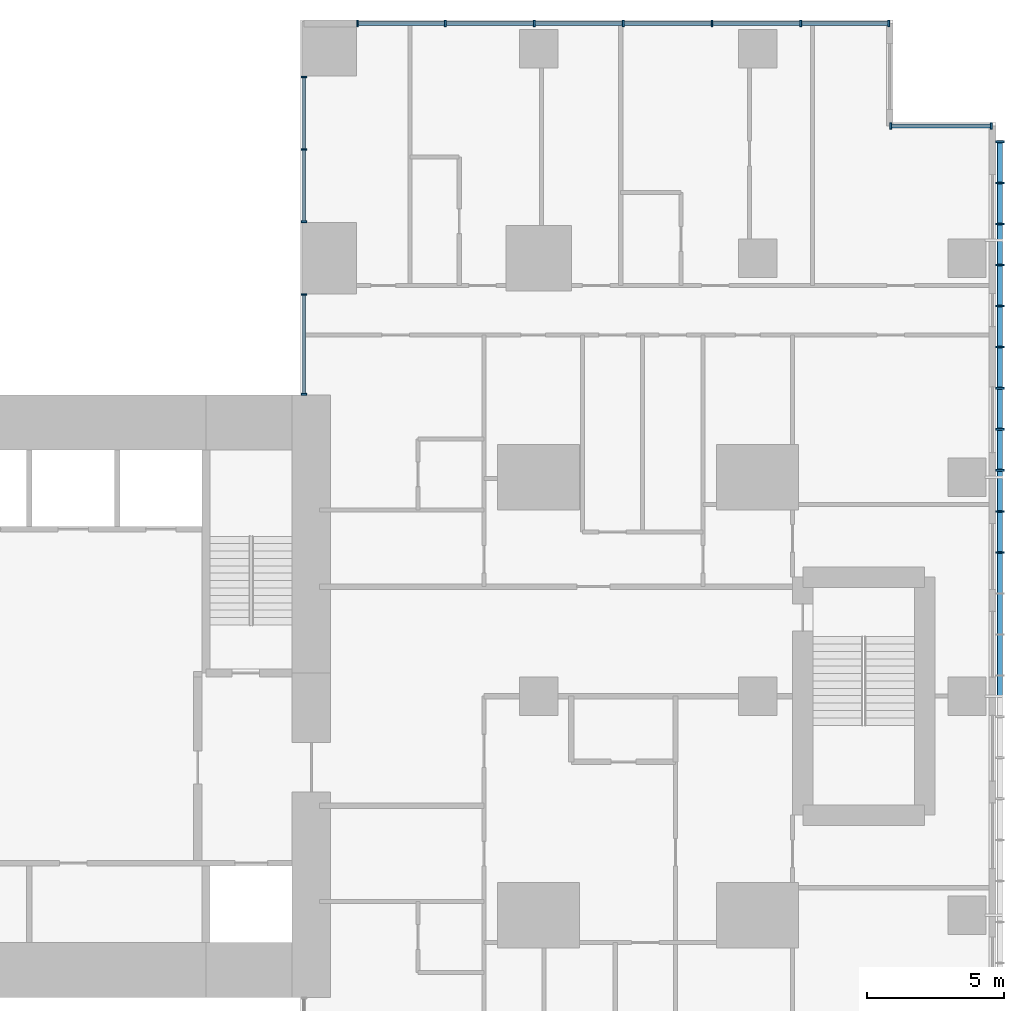
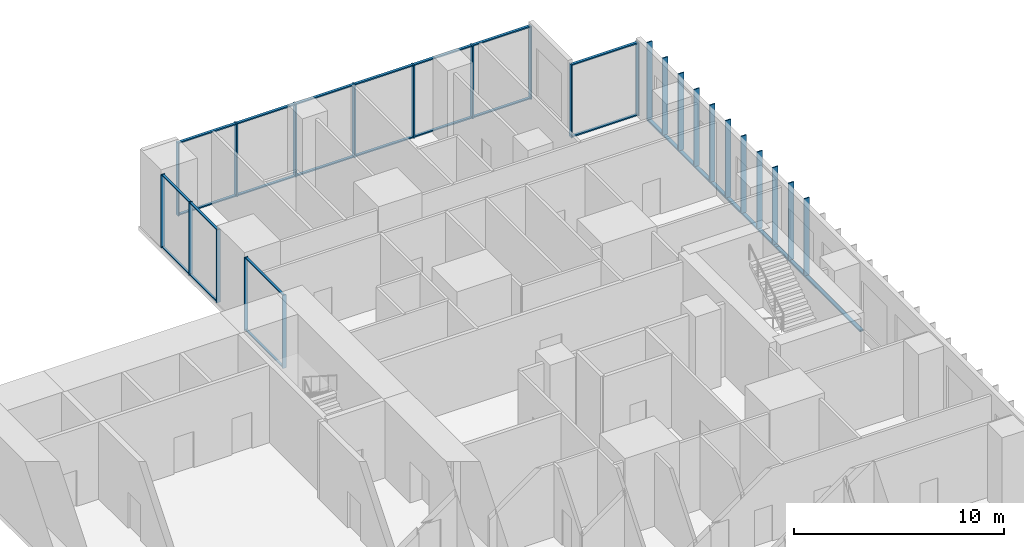
# One storey, part 3 of 12: 47 members, 4 elements without a shape of their own.
"""IFC4 building model written with IfcOpenShell, lengths in metres."""

import ifcopenshell
import ifcopenshell.guid

model = None  # the IFC model being written
_history = None  # IfcOwnerHistory: only IFC2X3 demands one
_inside = {}  # id of a spatial element -> (the spatial element, [elements in it])
_under = {}  # id of a project, library or spatial element -> (it, [spatial elements below it])
_declared = {}  # id of a project -> (the project, [libraries it declares])
_typed = {}  # id of a type object -> (the type object, [elements of that type])
_made_of = {}  # id of a material, layer set ... -> (it, [elements and type objects made of it])


def new_model(schema):
    """Start an empty IFC model of exactly this schema.

    Asked for "IFC4X3", IfcOpenShell would pick the latest addendum, in which some entities
    have other attributes; the version numbers below select the first issue.
    IFC2X3 requires an IfcOwnerHistory on every rooted entity: one is made here for all.
    """
    global model, _history
    if schema == "IFC4X3":
        model = ifcopenshell.file(schema_version=(4, 3, 0, 0))
    else:
        model = ifcopenshell.file(schema=schema)
    _inside.clear()
    _under.clear()
    _declared.clear()
    _typed.clear()
    _made_of.clear()
    _history = None
    if model.schema == "IFC2X3":
        org = make("IfcOrganization", Name="unknown")
        user = make(
            "IfcPersonAndOrganization",
            ThePerson=make("IfcPerson", FamilyName="unknown"),
            TheOrganization=org,
        )
        app = make(
            "IfcApplication",
            ApplicationDeveloper=org,
            Version="unknown",
            ApplicationFullName="unknown",
            ApplicationIdentifier="unknown",
        )
        _history = make(
            "IfcOwnerHistory",
            OwningUser=user,
            OwningApplication=app,
            ChangeAction="ADDED",
            CreationDate=0,
        )
    return model


def make(cls, **values):
    """One entity of the class cls with the attributes given. An attribute that is None is left unset."""
    return model.create_entity(
        cls, **{name: value for name, value in values.items() if value is not None}
    )


def rooted(cls, **values):
    """An entity with a GlobalId (a new one), such as an element, a storey or a relation."""
    return make(cls, GlobalId=ifcopenshell.guid.new(), OwnerHistory=_history, **values)


def si_unit(unit_type, name, prefix=None):
    """IfcSIUnit, for example si_unit("LENGTHUNIT", "METRE", prefix="MILLI")."""
    return make("IfcSIUnit", UnitType=unit_type, Prefix=prefix, Name=name)


def assignment(units):
    """IfcUnitAssignment: the units of a project."""
    return None if units is None else make("IfcUnitAssignment", Units=units)


def point(xyz):
    """IfcCartesianPoint."""
    return None if xyz is None else make("IfcCartesianPoint", Coordinates=xyz)


def direction(xyz):
    """IfcDirection."""
    return None if xyz is None else make("IfcDirection", DirectionRatios=xyz)


def frame(location, z_axis=None, x_axis=None):
    """IfcAxis2Placement3D, a coordinate frame: its origin and axes. An axis left out is left unset."""
    return make(
        "IfcAxis2Placement3D",
        Location=point(location),
        Axis=direction(z_axis),
        RefDirection=direction(x_axis),
    )


def frame_2d(location, x_axis=None):
    """IfcAxis2Placement2D, a coordinate frame in the plane: its origin and x axis."""
    return make(
        "IfcAxis2Placement2D", Location=point(location), RefDirection=direction(x_axis)
    )


def origin():
    """The frame at (0, 0, 0) with its axes left unset."""
    return frame((0.0, 0.0, 0.0))


def origin_2d():
    """The frame at (0, 0) in the plane with its x axis left unset."""
    return frame_2d((0.0, 0.0))


def place(relative_to, where):
    """IfcLocalPlacement: puts the frame where relative to a parent placement (None: the world)."""
    return make(
        "IfcLocalPlacement", PlacementRelTo=relative_to, RelativePlacement=where
    )


def context(
    kind, dimensions, precision=None, world=None, true_north=None, identifier=None
):
    """IfcGeometricRepresentationContext, for example the 3D "Model" context."""
    return make(
        "IfcGeometricRepresentationContext",
        ContextIdentifier=identifier,
        ContextType=kind,
        CoordinateSpaceDimension=dimensions,
        Precision=precision,
        WorldCoordinateSystem=world,
        TrueNorth=true_north,
    )


def subcontext(parent, identifier, kind, view, scale=None):
    """IfcGeometricRepresentationSubContext, for example "Body" below "Model"."""
    return make(
        "IfcGeometricRepresentationSubContext",
        ContextIdentifier=identifier,
        ContextType=kind,
        ParentContext=parent,
        TargetScale=scale,
        TargetView=view,
    )


def project(units=None, contexts=None):
    """IfcProject with its units and contexts."""
    return rooted(
        "IfcProject",
        Name="project",
        RepresentationContexts=contexts,
        UnitsInContext=assignment(units),
    )


def spatial(cls, under=None, at=None, **own):
    """A site, building, storey or space (cls), placed at a placement, below another one or the project."""
    s = rooted(cls, ObjectPlacement=at, **own)
    if under is not None:
        _under.setdefault(under.id(), (under, []))[1].append(s)
    return s


def profile(cls, at=None, kind="AREA", **sizes):
    """A parametric profile (cls). Its sizes go by their IFC names, for example OverallWidth=200.0."""
    return make(cls, ProfileType=kind, Position=at, **sizes)


def rectangle(**sizes):
    """IfcRectangleProfileDef."""
    return profile("IfcRectangleProfileDef", **sizes)


def hollow_rectangle(**sizes):
    """IfcRectangleHollowProfileDef."""
    return profile("IfcRectangleHollowProfileDef", **sizes)


def extrude(swept, where, along, depth):
    """IfcExtrudedAreaSolid: the profile swept, set in the frame where, extruded along a direction by depth."""
    return make(
        "IfcExtrudedAreaSolid",
        SweptArea=swept,
        Position=where,
        ExtrudedDirection=direction(along),
        Depth=depth,
    )


def shape(context_of_items, identifier, shape_type, items):
    """IfcShapeRepresentation: the items that make up one representation, for example the "Body"."""
    return make(
        "IfcShapeRepresentation",
        ContextOfItems=context_of_items,
        RepresentationIdentifier=identifier,
        RepresentationType=shape_type,
        Items=items,
    )


def material(Name=None, Category=None):
    """IfcMaterial."""
    return make("IfcMaterial", Name=Name, Category=Category)


def layer(
    of_material, thickness, ventilated=None, Name=None, Category=None, Priority=None
):
    """IfcMaterialLayer: one layer of a wall or slab, of a material (None: an air gap)."""
    return make(
        "IfcMaterialLayer",
        Material=of_material,
        LayerThickness=thickness,
        IsVentilated=ventilated,
        Name=Name,
        Category=Category,
        Priority=Priority,
    )


def layer_set(layers, Name=None):
    """IfcMaterialLayerSet."""
    return make("IfcMaterialLayerSet", MaterialLayers=layers, LayerSetName=Name)


def material_profile(
    of_material, cross_section, Name=None, Category=None, Priority=None
):
    """IfcMaterialProfile: a cross section and its material."""
    return make(
        "IfcMaterialProfile",
        Name=Name,
        Material=of_material,
        Profile=cross_section,
        Priority=Priority,
        Category=Category,
    )


def profile_set(profiles, Name=None, composite=None):
    """IfcMaterialProfileSet."""
    return make(
        "IfcMaterialProfileSet",
        Name=Name,
        MaterialProfiles=profiles,
        CompositeProfile=composite,
    )


def made_of(thing, what):
    """Note that an element or type object is made of a material, layer set ...; save() writes the relation."""
    if what is not None:
        _made_of.setdefault(what.id(), (what, []))[1].append(thing)
    return thing


def type_object(cls, material=None, **own):
    """A type object (cls), such as IfcWallType, which elements share."""
    return made_of(rooted(cls, **own), material)


def element(
    cls,
    number,
    at=None,
    inside=None,
    cuts=None,
    type_object=None,
    material=None,
    context=None,
    identifier="Body",
    shape_type=None,
    held_by="IfcProductDefinitionShape",
    body=None,
    shapes=None,
    **own,
):
    """One element of the class cls, such as IfcWall. Its Tag is "e" and its number.

    at: its placement. inside: the storey or other place that contains it. cuts: it is an
    opening in that element (IfcRelVoidsElement). A single representation is given by context,
    identifier, shape_type and body (its items); several are given by shapes. held_by: the class
    of the entity that holds the representations. save() writes the other relations.
    """
    e = rooted(cls, Tag="e%d" % number, ObjectPlacement=at, **own)
    if body is not None:
        shapes = [shape(context, identifier, shape_type, body)]
    if shapes is not None:
        e.Representation = make(held_by, Representations=shapes)
    if inside is not None:
        _inside.setdefault(inside.id(), (inside, []))[1].append(e)
    if cuts is not None:
        rooted(
            "IfcRelVoidsElement", RelatingBuildingElement=cuts, RelatedOpeningElement=e
        )
    if type_object is not None:
        _typed.setdefault(type_object.id(), (type_object, []))[1].append(e)
    return made_of(e, material)


def aggregate(whole, parts):
    """IfcRelAggregates: a whole, such as a stair, and the parts it consists of."""
    return rooted("IfcRelAggregates", RelatingObject=whole, RelatedObjects=parts)


def save(model, path):
    """Write the relations noted so far, then the file.

    IfcRelAggregates (storeys below a building ...), IfcRelContainedInSpatialStructure (elements
    in a storey), IfcRelDefinesByType, IfcRelAssociatesMaterial and IfcRelDeclares: one each for
    every whole, place, type object, material and project.
    """
    for whole, parts in _under.values():
        aggregate(whole, parts)
    for where, things in _inside.values():
        rooted(
            "IfcRelContainedInSpatialStructure",
            RelatedElements=things,
            RelatingStructure=where,
        )
    for kind, things in _typed.values():
        rooted("IfcRelDefinesByType", RelatedObjects=things, RelatingType=kind)
    for what, things in _made_of.values():
        rooted("IfcRelAssociatesMaterial", RelatedObjects=things, RelatingMaterial=what)
    for by, libraries in _declared.values():
        rooted("IfcRelDeclares", RelatingContext=by, RelatedDefinitions=libraries)
    model.write(path)


model = new_model("IFC4")

# Units and contexts
model_context = context("Model", 3, precision=1e-05, world=origin(), true_north=direction((0.0, 1.0)))
body_context = subcontext(model_context, "Body", "Model", "MODEL_VIEW")
ifc_project = project(units=[si_unit("LENGTHUNIT", "METRE"), si_unit("AREAUNIT", "SQUARE_METRE"), si_unit("VOLUMEUNIT", "CUBIC_METRE"), si_unit("PLANEANGLEUNIT", "RADIAN"), si_unit("MASSUNIT", "GRAM", prefix="KILO")], contexts=[model_context])

# Site, building, storey
site_placement = place(None, origin())
site = spatial("IfcSite", under=ifc_project, at=site_placement, CompositionType="ELEMENT")
building_placement = place(site_placement, origin())
building = spatial("IfcBuilding", under=site, at=building_placement, Name="Cleftline Residences", CompositionType="ELEMENT")
storey_placement = place(building_placement, frame((0.0, 0.0, 282.60009765625)))
storey = spatial("IfcBuildingStorey", under=building, at=storey_placement, Name="L74", CompositionType="ELEMENT", Elevation=282.60009765625)

# Members
ifc_material_1 = material(Name="Steel S355, hot-dip galvanised", Category="steel")
ifc_material_profile_1 = material_profile(ifc_material_1, hollow_rectangle(XDim=0.10009765625, YDim=0.199951171875, WallThickness=0.008056640625, InnerFilletRadius=0.008056640625, OuterFilletRadius=0.011962890625, at=origin_2d()))
ifc_profile_set_1 = profile_set([ifc_material_profile_1], Name="Steel S355, hot-dip galvanised")
member_type_1 = type_object("IfcMemberType", Name="BAGUETTE CARRIER RHS 200X100X8", PredefinedType="USERDEFINED", material=ifc_profile_set_1)
member_1_placement = place(storey_placement, frame((66.85009765625, 24.0, -0.050048828125), z_axis=(0.0, 1.0, 0.0), x_axis=(0.0, 0.0, 1.0)))
element("IfcMember", 1, at=member_1_placement, inside=storey, type_object=member_type_1, Name="Baguette carrier", ObjectType="BAGUETTE CARRIER", PredefinedType="USERDEFINED", context=body_context, shape_type="SweptSolid", body=[
    extrude(hollow_rectangle(XDim=0.10009765625, YDim=0.199951171875, WallThickness=0.008056640625, InnerFilletRadius=0.008056640625, OuterFilletRadius=0.011962890625, at=origin_2d()), origin(), (0.0, 0.0, 1.0), 8.0),
])
member_2_placement = place(storey_placement, frame((66.85009765625, 32.0, -0.050048828125), z_axis=(0.0, 1.0, 0.0), x_axis=(0.0, 0.0, 1.0)))
element("IfcMember", 2, at=member_2_placement, inside=storey, type_object=member_type_1, Name="Baguette carrier", ObjectType="BAGUETTE CARRIER", PredefinedType="USERDEFINED", context=body_context, shape_type="SweptSolid", body=[
    extrude(hollow_rectangle(XDim=0.10009765625, YDim=0.199951171875, WallThickness=0.008056640625, InnerFilletRadius=0.008056640625, OuterFilletRadius=0.011962890625, at=origin_2d()), origin(), (0.0, 0.0, 1.0), 12.300048828125),
])

# Curtain wall, members
ifc_material_2 = material(Name="Aluminium framed curtain wall", Category="aluminium")
ifc_layer_1 = layer(ifc_material_2, 0.199951171875)
ifc_layer_set_1 = layer_set([ifc_layer_1], Name="CW1 CLEFT GLAZING")
curtain_wall_type_1 = type_object("IfcCurtainWallType", Name="CW1 CLEFT GLAZING", PredefinedType="NOTDEFINED", material=ifc_layer_set_1)
curtain_wall_1_placement = place(storey_placement, origin())
curtain_wall_1 = element("IfcCurtainWall", 3, at=curtain_wall_1_placement, inside=storey, type_object=curtain_wall_type_1, Name="Curtain wall CW1", PredefinedType="NOTDEFINED")
ifc_material_3 = material(Name="Aluminium mullion", Category="aluminium")
ifc_material_profile_2 = material_profile(ifc_material_3, rectangle(XDim=0.199951171875, YDim=0.06005859375, at=origin_2d()))
ifc_profile_set_2 = profile_set([ifc_material_profile_2], Name="Aluminium mullion")
member_type_2 = type_object("IfcMemberType", Name="CW1 MULLION", PredefinedType="MULLION", material=ifc_profile_set_2)
member_3_placement = place(storey_placement, frame((41.425048828125, 46.6201171875, 0.0), z_axis=(0.0, 0.0, 1.0), x_axis=(1.0, 0.0, 0.0)))
member_3 = element("IfcMember", 4, at=member_3_placement, type_object=member_type_2, Name="CW1 mullion 1", PredefinedType="MULLION", context=body_context, shape_type="SweptSolid", body=[
    extrude(rectangle(XDim=0.199951171875, YDim=0.06005859375, at=origin_2d()), origin(), (0.0, 0.0, 1.0), 4.25),
])
member_4_placement = place(storey_placement, frame((41.425048828125, 43.97509765625, 0.0), z_axis=(0.0, 0.0, 1.0), x_axis=(1.0, 0.0, 0.0)))
member_4 = element("IfcMember", 5, at=member_4_placement, type_object=member_type_2, Name="CW1 mullion 2", PredefinedType="MULLION", context=body_context, shape_type="SweptSolid", body=[
    extrude(rectangle(XDim=0.199951171875, YDim=0.06005859375, at=origin_2d()), origin(), (0.0, 0.0, 1.0), 4.25),
])
member_5_placement = place(storey_placement, frame((41.425048828125, 41.330078125, 0.0), z_axis=(0.0, 0.0, 1.0), x_axis=(1.0, 0.0, 0.0)))
member_5 = element("IfcMember", 6, at=member_5_placement, type_object=member_type_2, Name="CW1 mullion 3", PredefinedType="MULLION", context=body_context, shape_type="SweptSolid", body=[
    extrude(rectangle(XDim=0.199951171875, YDim=0.06005859375, at=origin_2d()), origin(), (0.0, 0.0, 1.0), 4.25),
])

curtain_wall_2_placement = place(storey_placement, origin())
curtain_wall_2 = element("IfcCurtainWall", 7, at=curtain_wall_2_placement, inside=storey, type_object=curtain_wall_type_1, Name="Curtain wall CW1", PredefinedType="NOTDEFINED")
member_6_placement = place(storey_placement, frame((41.425048828125, 38.669921875, 0.0), z_axis=(0.0, 0.0, 1.0), x_axis=(1.0, 0.0, 0.0)))
member_6 = element("IfcMember", 8, at=member_6_placement, type_object=member_type_2, Name="CW1 mullion 1", PredefinedType="MULLION", context=body_context, shape_type="SweptSolid", body=[
    extrude(rectangle(XDim=0.199951171875, YDim=0.06005859375, at=origin_2d()), origin(), (0.0, 0.0, 1.0), 4.25),
])
member_7_placement = place(storey_placement, frame((41.425048828125, 35.030029296875, 0.0), z_axis=(0.0, 0.0, 1.0), x_axis=(1.0, 0.0, 0.0)))
member_7 = element("IfcMember", 9, at=member_7_placement, type_object=member_type_2, Name="CW1 mullion 2", PredefinedType="MULLION", context=body_context, shape_type="SweptSolid", body=[
    extrude(rectangle(XDim=0.199951171875, YDim=0.06005859375, at=origin_2d()), origin(), (0.0, 0.0, 1.0), 4.25),
])

# Member
ifc_material_4 = material(Name="Aluminium transom", Category="aluminium")
ifc_material_profile_3 = material_profile(ifc_material_4, rectangle(XDim=0.1201171875, YDim=0.06005859375, at=origin_2d()))
ifc_profile_set_3 = profile_set([ifc_material_profile_3], Name="Aluminium transom")
member_type_3 = type_object("IfcMemberType", Name="CW1 TRANSOM", PredefinedType="USERDEFINED", material=ifc_profile_set_3)
member_8_placement = place(storey_placement, frame((41.425048828125, 46.590087890625, 0.02978515625), z_axis=(0.0, -1.0, 0.0), x_axis=(1.0, 0.0, 0.0)))
member_8 = element("IfcMember", 10, at=member_8_placement, type_object=member_type_3, Name="CW1 transom 1.1", ObjectType="TRANSOM", PredefinedType="USERDEFINED", context=body_context, shape_type="SweptSolid", body=[
    extrude(rectangle(XDim=0.1201171875, YDim=0.06005859375, at=origin_2d()), origin(), (0.0, 0.0, 1.0), 2.585205078125),
])

member_9_placement = place(storey_placement, frame((41.425048828125, 46.590087890625, 4.219970703125), z_axis=(0.0, -1.0, 0.0), x_axis=(1.0, 0.0, 0.0)))
member_9 = element("IfcMember", 11, at=member_9_placement, type_object=member_type_3, Name="CW1 transom 1.2", ObjectType="TRANSOM", PredefinedType="USERDEFINED", context=body_context, shape_type="SweptSolid", body=[
    extrude(rectangle(XDim=0.1201171875, YDim=0.06005859375, at=origin_2d()), origin(), (0.0, 0.0, 1.0), 2.585205078125),
])

member_10_placement = place(storey_placement, frame((41.425048828125, 43.945068359375, 0.02978515625), z_axis=(0.0, -1.0, 0.0), x_axis=(1.0, 0.0, 0.0)))
member_10 = element("IfcMember", 12, at=member_10_placement, type_object=member_type_3, Name="CW1 transom 2.1", ObjectType="TRANSOM", PredefinedType="USERDEFINED", context=body_context, shape_type="SweptSolid", body=[
    extrude(rectangle(XDim=0.1201171875, YDim=0.06005859375, at=origin_2d()), origin(), (0.0, 0.0, 1.0), 2.5849609375),
])

member_11_placement = place(storey_placement, frame((41.425048828125, 43.945068359375, 4.219970703125), z_axis=(0.0, -1.0, 0.0), x_axis=(1.0, 0.0, 0.0)))
member_11 = element("IfcMember", 13, at=member_11_placement, type_object=member_type_3, Name="CW1 transom 2.2", ObjectType="TRANSOM", PredefinedType="USERDEFINED", context=body_context, shape_type="SweptSolid", body=[
    extrude(rectangle(XDim=0.1201171875, YDim=0.06005859375, at=origin_2d()), origin(), (0.0, 0.0, 1.0), 2.5849609375),
])

aggregate(curtain_wall_1, [member_3, member_4, member_5, member_8, member_9, member_10, member_11])

member_12_placement = place(storey_placement, frame((41.425048828125, 38.639892578125, 0.02978515625), z_axis=(0.0, -1.0, 0.0), x_axis=(1.0, 0.0, 0.0)))
member_12 = element("IfcMember", 14, at=member_12_placement, type_object=member_type_3, Name="CW1 transom 1.1", ObjectType="TRANSOM", PredefinedType="USERDEFINED", context=body_context, shape_type="SweptSolid", body=[
    extrude(rectangle(XDim=0.1201171875, YDim=0.06005859375, at=origin_2d()), origin(), (0.0, 0.0, 1.0), 3.579833984375),
])

member_13_placement = place(storey_placement, frame((41.425048828125, 38.639892578125, 4.219970703125), z_axis=(0.0, -1.0, 0.0), x_axis=(1.0, 0.0, 0.0)))
member_13 = element("IfcMember", 15, at=member_13_placement, type_object=member_type_3, Name="CW1 transom 1.2", ObjectType="TRANSOM", PredefinedType="USERDEFINED", context=body_context, shape_type="SweptSolid", body=[
    extrude(rectangle(XDim=0.1201171875, YDim=0.06005859375, at=origin_2d()), origin(), (0.0, 0.0, 1.0), 3.579833984375),
])

aggregate(curtain_wall_2, [member_6, member_7, member_12, member_13])

# Curtain wall, members
ifc_material_5 = material(Name="Aluminium framed curtain wall", Category="aluminium")
ifc_layer_2 = layer(ifc_material_5, 0.199951171875)
ifc_layer_set_2 = layer_set([ifc_layer_2], Name="CW5 PENTHOUSE GLAZING")
curtain_wall_type_2 = type_object("IfcCurtainWallType", Name="CW5 PENTHOUSE GLAZING", PredefinedType="NOTDEFINED", material=ifc_layer_set_2)
curtain_wall_3_placement = place(storey_placement, origin())
curtain_wall_3 = element("IfcCurtainWall", 16, at=curtain_wall_3_placement, inside=storey, type_object=curtain_wall_type_2, Name="Curtain wall CW5", PredefinedType="NOTDEFINED")
ifc_material_6 = material(Name="Aluminium mullion", Category="aluminium")
ifc_material_profile_4 = material_profile(ifc_material_6, rectangle(XDim=0.239990234375, YDim=0.070068359375, at=origin_2d()))
ifc_profile_set_4 = profile_set([ifc_material_profile_4], Name="Aluminium mullion")
member_type_4 = type_object("IfcMemberType", Name="CW5 MULLION", PredefinedType="MULLION", material=ifc_profile_set_4)
member_14_placement = place(storey_placement, frame((66.5400390625, 44.824951171875, 0.0), z_axis=(0.0, 0.0, 1.0), x_axis=(0.0, -1.0, 0.0)))
member_14 = element("IfcMember", 17, at=member_14_placement, type_object=member_type_4, Name="CW5 mullion 1", PredefinedType="MULLION", context=body_context, shape_type="SweptSolid", body=[
    extrude(rectangle(XDim=0.239990234375, YDim=0.070068359375, at=origin_2d()), origin(), (0.0, 0.0, 1.0), 4.25),
])
member_15_placement = place(storey_placement, frame((62.860107421875, 44.824951171875, 0.0), z_axis=(0.0, 0.0, 1.0), x_axis=(0.0, -1.0, 0.0)))
member_15 = element("IfcMember", 18, at=member_15_placement, type_object=member_type_4, Name="CW5 mullion 2", PredefinedType="MULLION", context=body_context, shape_type="SweptSolid", body=[
    extrude(rectangle(XDim=0.239990234375, YDim=0.070068359375, at=origin_2d()), origin(), (0.0, 0.0, 1.0), 4.25),
])

curtain_wall_4_placement = place(storey_placement, origin())
curtain_wall_4 = element("IfcCurtainWall", 19, at=curtain_wall_4_placement, inside=storey, type_object=curtain_wall_type_2, Name="Curtain wall CW5", PredefinedType="NOTDEFINED")
member_16_placement = place(storey_placement, frame((62.7900390625, 48.574951171875, 0.0), z_axis=(0.0, 0.0, 1.0), x_axis=(0.0, -1.0, 0.0)))
member_16 = element("IfcMember", 20, at=member_16_placement, type_object=member_type_4, Name="CW5 mullion 1", PredefinedType="MULLION", context=body_context, shape_type="SweptSolid", body=[
    extrude(rectangle(XDim=0.239990234375, YDim=0.070068359375, at=origin_2d()), origin(), (0.0, 0.0, 1.0), 4.25),
])
member_17_placement = place(storey_placement, frame((59.5791015625, 48.574951171875, 0.0), z_axis=(0.0, 0.0, 1.0), x_axis=(0.0, -1.0, 0.0)))
member_17 = element("IfcMember", 21, at=member_17_placement, type_object=member_type_4, Name="CW5 mullion 2", PredefinedType="MULLION", context=body_context, shape_type="SweptSolid", body=[
    extrude(rectangle(XDim=0.239990234375, YDim=0.070068359375, at=origin_2d()), origin(), (0.0, 0.0, 1.0), 4.25),
])
member_18_placement = place(storey_placement, frame((56.333251953125, 48.574951171875, 0.0), z_axis=(0.0, 0.0, 1.0), x_axis=(0.0, -1.0, 0.0)))
member_18 = element("IfcMember", 22, at=member_18_placement, type_object=member_type_4, Name="CW5 mullion 3", PredefinedType="MULLION", context=body_context, shape_type="SweptSolid", body=[
    extrude(rectangle(XDim=0.239990234375, YDim=0.070068359375, at=origin_2d()), origin(), (0.0, 0.0, 1.0), 4.25),
])
member_19_placement = place(storey_placement, frame((53.08740234375, 48.574951171875, 0.0), z_axis=(0.0, 0.0, 1.0), x_axis=(0.0, -1.0, 0.0)))
member_19 = element("IfcMember", 23, at=member_19_placement, type_object=member_type_4, Name="CW5 mullion 4", PredefinedType="MULLION", context=body_context, shape_type="SweptSolid", body=[
    extrude(rectangle(XDim=0.239990234375, YDim=0.070068359375, at=origin_2d()), origin(), (0.0, 0.0, 1.0), 4.25),
])
member_20_placement = place(storey_placement, frame((49.841552734375, 48.574951171875, 0.0), z_axis=(0.0, 0.0, 1.0), x_axis=(0.0, -1.0, 0.0)))
member_20 = element("IfcMember", 24, at=member_20_placement, type_object=member_type_4, Name="CW5 mullion 5", PredefinedType="MULLION", context=body_context, shape_type="SweptSolid", body=[
    extrude(rectangle(XDim=0.239990234375, YDim=0.070068359375, at=origin_2d()), origin(), (0.0, 0.0, 1.0), 4.25),
])
member_21_placement = place(storey_placement, frame((46.595947265625, 48.574951171875, 0.0), z_axis=(0.0, 0.0, 1.0), x_axis=(0.0, -1.0, 0.0)))
member_21 = element("IfcMember", 25, at=member_21_placement, type_object=member_type_4, Name="CW5 mullion 6", PredefinedType="MULLION", context=body_context, shape_type="SweptSolid", body=[
    extrude(rectangle(XDim=0.239990234375, YDim=0.070068359375, at=origin_2d()), origin(), (0.0, 0.0, 1.0), 4.25),
])
member_22_placement = place(storey_placement, frame((43.385009765625, 48.574951171875, 0.0), z_axis=(0.0, 0.0, 1.0), x_axis=(0.0, -1.0, 0.0)))
member_22 = element("IfcMember", 26, at=member_22_placement, type_object=member_type_4, Name="CW5 mullion 7", PredefinedType="MULLION", context=body_context, shape_type="SweptSolid", body=[
    extrude(rectangle(XDim=0.239990234375, YDim=0.070068359375, at=origin_2d()), origin(), (0.0, 0.0, 1.0), 4.25),
])

# Member
ifc_material_7 = material(Name="Aluminium transom", Category="aluminium")
ifc_material_profile_5 = material_profile(ifc_material_7, rectangle(XDim=0.14404296875, YDim=0.070068359375, at=origin_2d()))
ifc_profile_set_5 = profile_set([ifc_material_profile_5], Name="Aluminium transom")
member_type_5 = type_object("IfcMemberType", Name="CW5 TRANSOM", PredefinedType="USERDEFINED", material=ifc_profile_set_5)
member_23_placement = place(storey_placement, frame((66.5048828125, 44.824951171875, 0.034912109375), z_axis=(-1.0, 0.0, 0.0), x_axis=(0.0, -1.0, 0.0)))
member_23 = element("IfcMember", 27, at=member_23_placement, type_object=member_type_5, Name="CW5 transom 1.1", ObjectType="TRANSOM", PredefinedType="USERDEFINED", context=body_context, shape_type="SweptSolid", body=[
    extrude(rectangle(XDim=0.14404296875, YDim=0.070068359375, at=origin_2d()), origin(), (0.0, 0.0, 1.0), 3.60986328125),
])

member_24_placement = place(storey_placement, frame((66.5048828125, 44.824951171875, 4.21484375), z_axis=(-1.0, 0.0, 0.0), x_axis=(0.0, -1.0, 0.0)))
member_24 = element("IfcMember", 28, at=member_24_placement, type_object=member_type_5, Name="CW5 transom 1.2", ObjectType="TRANSOM", PredefinedType="USERDEFINED", context=body_context, shape_type="SweptSolid", body=[
    extrude(rectangle(XDim=0.14404296875, YDim=0.070068359375, at=origin_2d()), origin(), (0.0, 0.0, 1.0), 3.60986328125),
])

aggregate(curtain_wall_3, [member_14, member_15, member_23, member_24])

member_25_placement = place(storey_placement, frame((62.7548828125, 48.574951171875, 0.034912109375), z_axis=(-1.0, 0.0, 0.0), x_axis=(0.0, -1.0, 0.0)))
member_25 = element("IfcMember", 29, at=member_25_placement, type_object=member_type_5, Name="CW5 transom 1.1", ObjectType="TRANSOM", PredefinedType="USERDEFINED", context=body_context, shape_type="SweptSolid", body=[
    extrude(rectangle(XDim=0.14404296875, YDim=0.070068359375, at=origin_2d()), origin(), (0.0, 0.0, 1.0), 3.140625),
])

member_26_placement = place(storey_placement, frame((62.7548828125, 48.574951171875, 4.21484375), z_axis=(-1.0, 0.0, 0.0), x_axis=(0.0, -1.0, 0.0)))
member_26 = element("IfcMember", 30, at=member_26_placement, type_object=member_type_5, Name="CW5 transom 1.2", ObjectType="TRANSOM", PredefinedType="USERDEFINED", context=body_context, shape_type="SweptSolid", body=[
    extrude(rectangle(XDim=0.14404296875, YDim=0.070068359375, at=origin_2d()), origin(), (0.0, 0.0, 1.0), 3.140625),
])

member_27_placement = place(storey_placement, frame((59.544189453125, 48.574951171875, 0.034912109375), z_axis=(-1.0, 0.0, 0.0), x_axis=(0.0, -1.0, 0.0)))
member_27 = element("IfcMember", 31, at=member_27_placement, type_object=member_type_5, Name="CW5 transom 2.1", ObjectType="TRANSOM", PredefinedType="USERDEFINED", context=body_context, shape_type="SweptSolid", body=[
    extrude(rectangle(XDim=0.14404296875, YDim=0.070068359375, at=origin_2d()), origin(), (0.0, 0.0, 1.0), 3.17578125),
])

member_28_placement = place(storey_placement, frame((59.544189453125, 48.574951171875, 4.21484375), z_axis=(-1.0, 0.0, 0.0), x_axis=(0.0, -1.0, 0.0)))
member_28 = element("IfcMember", 32, at=member_28_placement, type_object=member_type_5, Name="CW5 transom 2.2", ObjectType="TRANSOM", PredefinedType="USERDEFINED", context=body_context, shape_type="SweptSolid", body=[
    extrude(rectangle(XDim=0.14404296875, YDim=0.070068359375, at=origin_2d()), origin(), (0.0, 0.0, 1.0), 3.17578125),
])

member_29_placement = place(storey_placement, frame((56.29833984375, 48.574951171875, 0.034912109375), z_axis=(-1.0, 0.0, 0.0), x_axis=(0.0, -1.0, 0.0)))
member_29 = element("IfcMember", 33, at=member_29_placement, type_object=member_type_5, Name="CW5 transom 3.1", ObjectType="TRANSOM", PredefinedType="USERDEFINED", context=body_context, shape_type="SweptSolid", body=[
    extrude(rectangle(XDim=0.14404296875, YDim=0.070068359375, at=origin_2d()), origin(), (0.0, 0.0, 1.0), 3.17578125),
])

member_30_placement = place(storey_placement, frame((56.29833984375, 48.574951171875, 4.21484375), z_axis=(-1.0, 0.0, 0.0), x_axis=(0.0, -1.0, 0.0)))
member_30 = element("IfcMember", 34, at=member_30_placement, type_object=member_type_5, Name="CW5 transom 3.2", ObjectType="TRANSOM", PredefinedType="USERDEFINED", context=body_context, shape_type="SweptSolid", body=[
    extrude(rectangle(XDim=0.14404296875, YDim=0.070068359375, at=origin_2d()), origin(), (0.0, 0.0, 1.0), 3.17578125),
])

member_31_placement = place(storey_placement, frame((53.052490234375, 48.574951171875, 0.034912109375), z_axis=(-1.0, 0.0, 0.0), x_axis=(0.0, -1.0, 0.0)))
member_31 = element("IfcMember", 35, at=member_31_placement, type_object=member_type_5, Name="CW5 transom 4.1", ObjectType="TRANSOM", PredefinedType="USERDEFINED", context=body_context, shape_type="SweptSolid", body=[
    extrude(rectangle(XDim=0.14404296875, YDim=0.070068359375, at=origin_2d()), origin(), (0.0, 0.0, 1.0), 3.17578125),
])

member_32_placement = place(storey_placement, frame((53.052490234375, 48.574951171875, 4.21484375), z_axis=(-1.0, 0.0, 0.0), x_axis=(0.0, -1.0, 0.0)))
member_32 = element("IfcMember", 36, at=member_32_placement, type_object=member_type_5, Name="CW5 transom 4.2", ObjectType="TRANSOM", PredefinedType="USERDEFINED", context=body_context, shape_type="SweptSolid", body=[
    extrude(rectangle(XDim=0.14404296875, YDim=0.070068359375, at=origin_2d()), origin(), (0.0, 0.0, 1.0), 3.17578125),
])

member_33_placement = place(storey_placement, frame((49.806640625, 48.574951171875, 0.034912109375), z_axis=(-1.0, 0.0, 0.0), x_axis=(0.0, -1.0, 0.0)))
member_33 = element("IfcMember", 37, at=member_33_placement, type_object=member_type_5, Name="CW5 transom 5.1", ObjectType="TRANSOM", PredefinedType="USERDEFINED", context=body_context, shape_type="SweptSolid", body=[
    extrude(rectangle(XDim=0.14404296875, YDim=0.070068359375, at=origin_2d()), origin(), (0.0, 0.0, 1.0), 3.17578125),
])

member_34_placement = place(storey_placement, frame((49.806640625, 48.574951171875, 4.21484375), z_axis=(-1.0, 0.0, 0.0), x_axis=(0.0, -1.0, 0.0)))
member_34 = element("IfcMember", 38, at=member_34_placement, type_object=member_type_5, Name="CW5 transom 5.2", ObjectType="TRANSOM", PredefinedType="USERDEFINED", context=body_context, shape_type="SweptSolid", body=[
    extrude(rectangle(XDim=0.14404296875, YDim=0.070068359375, at=origin_2d()), origin(), (0.0, 0.0, 1.0), 3.17578125),
])

member_35_placement = place(storey_placement, frame((46.560791015625, 48.574951171875, 0.034912109375), z_axis=(-1.0, 0.0, 0.0), x_axis=(0.0, -1.0, 0.0)))
member_35 = element("IfcMember", 39, at=member_35_placement, type_object=member_type_5, Name="CW5 transom 6.1", ObjectType="TRANSOM", PredefinedType="USERDEFINED", context=body_context, shape_type="SweptSolid", body=[
    extrude(rectangle(XDim=0.14404296875, YDim=0.070068359375, at=origin_2d()), origin(), (0.0, 0.0, 1.0), 3.140869140625),
])

member_36_placement = place(storey_placement, frame((46.560791015625, 48.574951171875, 4.21484375), z_axis=(-1.0, 0.0, 0.0), x_axis=(0.0, -1.0, 0.0)))
member_36 = element("IfcMember", 40, at=member_36_placement, type_object=member_type_5, Name="CW5 transom 6.2", ObjectType="TRANSOM", PredefinedType="USERDEFINED", context=body_context, shape_type="SweptSolid", body=[
    extrude(rectangle(XDim=0.14404296875, YDim=0.070068359375, at=origin_2d()), origin(), (0.0, 0.0, 1.0), 3.140869140625),
])

aggregate(curtain_wall_4, [member_16, member_17, member_18, member_19, member_20, member_21, member_22, member_25, member_26, member_27, member_28, member_29, member_30, member_31, member_32, member_33, member_34, member_35, member_36])

# Members
ifc_material_8 = material(Name="Extruded terracotta", Category="masonry")
ifc_material_profile_6 = material_profile(ifc_material_8, rectangle(XDim=0.06005859375, YDim=0.300048828125, at=origin_2d()))
ifc_profile_set_6 = profile_set([ifc_material_profile_6], Name="Extruded terracotta")
member_type_6 = type_object("IfcMemberType", Name="TERRACOTTA BAGUETTE 60X300", PredefinedType="USERDEFINED", material=ifc_profile_set_6)
for number, where, z_axis, x_axis, name in (
    (41, (66.85009765625, 29.25, 0.0), (0.0, 0.0, 1.0), (0.0, 1.0, 0.0), "Terracotta baguette"),
    (42, (66.85009765625, 30.75, 0.0), (0.0, 0.0, 1.0), (0.0, 1.0, 0.0), "Terracotta baguette"),
    (43, (66.85009765625, 32.25, 0.0), (0.0, 0.0, 1.0), (0.0, 1.0, 0.0), "Terracotta baguette"),
    (44, (66.85009765625, 33.75, 0.0), (0.0, 0.0, 1.0), (0.0, 1.0, 0.0), "Terracotta baguette"),
    (45, (66.85009765625, 35.25, 0.0), (0.0, 0.0, 1.0), (0.0, 1.0, 0.0), "Terracotta baguette"),
    (46, (66.85009765625, 36.75, 0.0), (0.0, 0.0, 1.0), (0.0, 1.0, 0.0), "Terracotta baguette"),
    (47, (66.85009765625, 38.25, 0.0), (0.0, 0.0, 1.0), (0.0, 1.0, 0.0), "Terracotta baguette"),
    (48, (66.85009765625, 39.75, 0.0), (0.0, 0.0, 1.0), (0.0, 1.0, 0.0), "Terracotta baguette"),
    (49, (66.85009765625, 41.25, 0.0), (0.0, 0.0, 1.0), (0.0, 1.0, 0.0), "Terracotta baguette"),
    (50, (66.85009765625, 42.75, 0.0), (0.0, 0.0, 1.0), (0.0, 1.0, 0.0), "Terracotta baguette"),
    (51, (66.85009765625, 44.25, 0.0), (0.0, 0.0, 1.0), (0.0, 1.0, 0.0), "Terracotta baguette"),
):
    element("IfcMember", number, at=place(storey_placement, frame(where, z_axis=z_axis, x_axis=x_axis)), inside=storey, type_object=member_type_6, Name=name, ObjectType="BAGUETTE", PredefinedType="USERDEFINED", context=body_context, shape_type="SweptSolid", body=[
        extrude(rectangle(XDim=0.06005859375, YDim=0.300048828125, at=origin_2d()), origin(), (0.0, 0.0, 1.0), 4.5),
    ])

save(model, "model.ifc")
